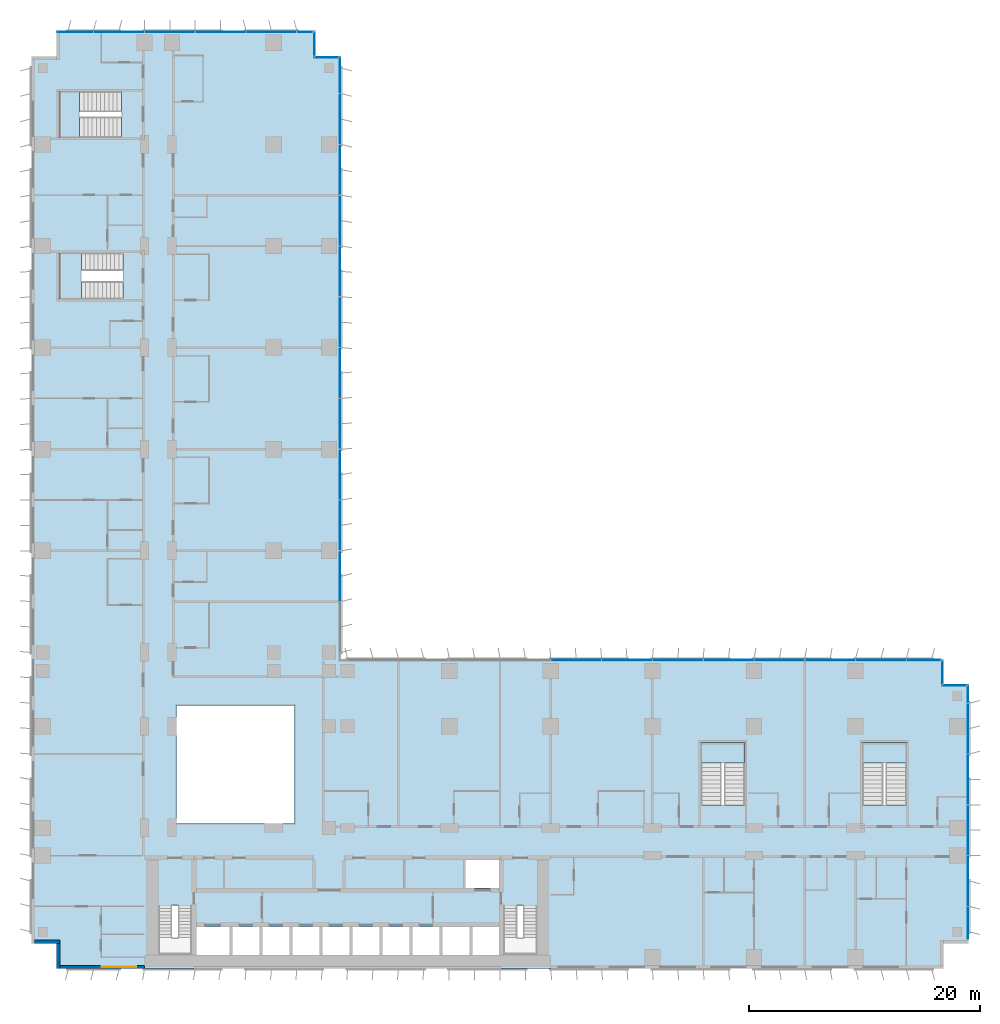
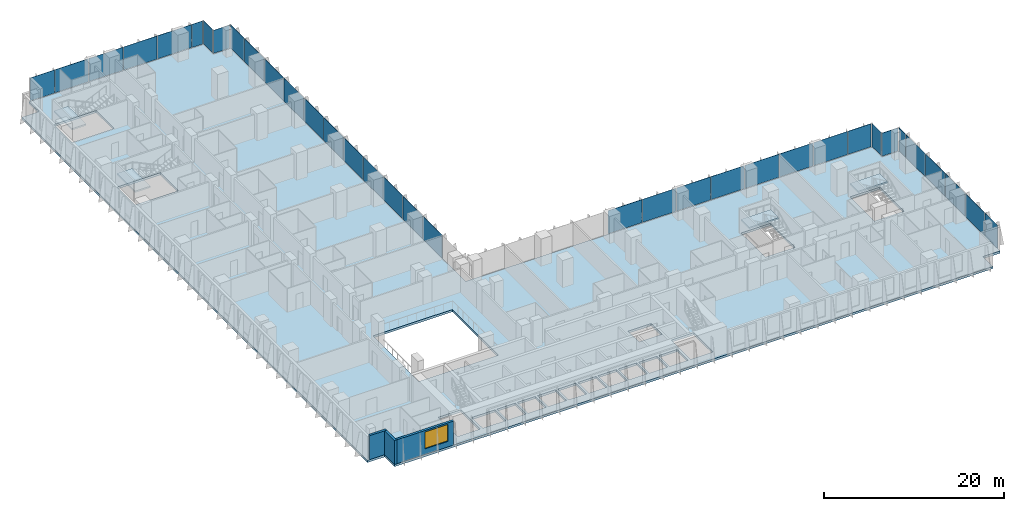
# One storey, part 11 of 24: 35 plates, 5 slabs, 3 walls, 1 window, 1 opening, 12 elements without a shape of their own.
"""IFC4 building model written with IfcOpenShell, lengths in metres."""

from ifc_helpers import new_model, si_unit, direction, frame, frame_2d, origin, origin_2d, place, context, subcontext, project, spatial, polyline, rectangle, outline, extrude, source, transform, mapped, material, layer, layer_set, type_object, element, fill, aggregate, save


model = new_model("IFC4")

# Units and contexts
model_context = context("Model", 3, precision=1e-05, world=origin(), true_north=direction((0.0, 1.0)))
body_context = subcontext(model_context, "Body", "Model", "MODEL_VIEW")
ifc_project = project(units=[si_unit("LENGTHUNIT", "METRE"), si_unit("AREAUNIT", "SQUARE_METRE"), si_unit("VOLUMEUNIT", "CUBIC_METRE"), si_unit("PLANEANGLEUNIT", "RADIAN"), si_unit("MASSUNIT", "GRAM", prefix="KILO")], contexts=[model_context])

# Site, building, storey
site_placement = place(None, origin())
site = spatial("IfcSite", under=ifc_project, at=site_placement, CompositionType="ELEMENT")
building_placement = place(site_placement, origin())
building = spatial("IfcBuilding", under=site, at=building_placement, Name="Kemantara Hotel Tower", CompositionType="ELEMENT")
storey_placement = place(building_placement, frame((0.0, 0.0, 79.699951171875)))
storey = spatial("IfcBuildingStorey", under=building, at=storey_placement, Name="L18", CompositionType="ELEMENT", Elevation=79.699951171875)

# Slab
ifc_material_1 = material(Name="Concrete fc 40 MPa", Category="concrete")
ifc_layer_1 = layer(ifc_material_1, 0.300048828125)
ifc_layer_set_1 = layer_set([ifc_layer_1], Name="Concrete fc 40 MPa")
slab_type_1 = type_object("IfcSlabType", Name="POST-TENSIONED FLAT PLATE 300", PredefinedType="FLOOR", material=ifc_layer_set_1)
slab_1_placement = place(storey_placement, frame((0.0, 0.0, -0.300048828125)))
element("IfcSlab", 1, at=slab_1_placement, inside=storey, type_object=slab_type_1, Name="FLOOR SLAB L18", PredefinedType="FLOOR", context=body_context, shape_type="SweptSolid", body=[
    extrude(outline(polyline([(0.0, 2.199951171875), (2.199951171875, 2.199951171875), (2.199951171875, 0.0), (79.0, 0.0), (79.0, 2.199951171875), (81.199951171875, 2.199951171875), (81.199951171875, 24.60009765625), (79.0, 24.60009765625), (79.0, 26.800048828125), (26.800048828125, 26.800048828125), (26.800048828125, 79.0), (24.60009765625, 79.0), (24.60009765625, 81.199951171875), (2.199951171875, 81.199951171875), (2.199951171875, 79.0), (0.0, 79.0), (0.0, 2.199951171875)]), holes=[polyline([(17.175048828125, 1.199951171875), (14.22509765625, 1.199951171875), (14.22509765625, 3.60009765625), (17.175048828125, 3.60009765625), (17.175048828125, 1.199951171875)]), polyline([(19.77490234375, 1.199951171875), (17.425048828125, 1.199951171875), (17.425048828125, 3.60009765625), (19.77490234375, 3.60009765625), (19.77490234375, 1.199951171875)]), polyline([(22.375, 1.199951171875), (20.02490234375, 1.199951171875), (20.02490234375, 3.60009765625), (22.375, 3.60009765625), (22.375, 1.199951171875)]), polyline([(24.97509765625, 1.199951171875), (22.625, 1.199951171875), (22.625, 3.60009765625), (24.97509765625, 3.60009765625), (24.97509765625, 1.199951171875)]), polyline([(27.574951171875, 1.199951171875), (25.22509765625, 1.199951171875), (25.22509765625, 3.60009765625), (27.574951171875, 3.60009765625), (27.574951171875, 1.199951171875)]), polyline([(11.0, 1.199951171875), (11.0, 5.49951171875), (13.89990234375, 5.49951171875), (13.89990234375, 1.199951171875), (11.0, 1.199951171875)]), polyline([(22.800048828125, 12.60009765625), (12.60009765625, 12.60009765625), (12.60009765625, 22.800048828125), (22.800048828125, 22.800048828125), (22.800048828125, 12.60009765625)]), polyline([(7.949462890625, 62.0), (7.949462890625, 58.0), (2.39990234375, 58.0), (2.39990234375, 62.0), (7.949462890625, 62.0)]), polyline([(7.79931640625, 76.0), (7.79931640625, 72.0), (2.39990234375, 72.0), (2.39990234375, 76.0), (7.79931640625, 76.0)]), polyline([(30.175048828125, 1.199951171875), (27.824951171875, 1.199951171875), (27.824951171875, 3.60009765625), (30.175048828125, 3.60009765625), (30.175048828125, 1.199951171875)]), polyline([(32.77490234375, 1.199951171875), (30.425048828125, 1.199951171875), (30.425048828125, 3.60009765625), (32.77490234375, 3.60009765625), (32.77490234375, 1.199951171875)]), polyline([(35.375, 1.199951171875), (33.02490234375, 1.199951171875), (33.02490234375, 3.60009765625), (35.375, 3.60009765625), (35.375, 1.199951171875)]), polyline([(37.97509765625, 1.199951171875), (35.625, 1.199951171875), (35.625, 3.60009765625), (37.97509765625, 3.60009765625), (37.97509765625, 1.199951171875)]), polyline([(40.574951171875, 1.199951171875), (38.22509765625, 1.199951171875), (38.22509765625, 3.60009765625), (40.574951171875, 3.60009765625), (40.574951171875, 1.199951171875)]), polyline([(40.89990234375, 1.199951171875), (40.89990234375, 5.49951171875), (43.800048828125, 5.49951171875), (43.800048828125, 1.199951171875), (40.89990234375, 1.199951171875)]), polyline([(40.574951171875, 7.0), (37.625, 7.0), (37.625, 9.39990234375), (40.574951171875, 9.39990234375), (40.574951171875, 7.0)]), polyline([(61.800048828125, 14.20068359375), (58.0, 14.20068359375), (58.0, 19.60009765625), (61.800048828125, 19.60009765625), (61.800048828125, 14.20068359375)]), polyline([(75.800048828125, 14.20068359375), (72.0, 14.20068359375), (72.0, 19.60009765625), (75.800048828125, 19.60009765625), (75.800048828125, 14.20068359375)])]), origin(), (0.0, 0.0, 1.0), 0.300048828125),
])

# Stair, slab
stair_type_1 = type_object("IfcStairType", Name="Stair 1800 wide 22 risers of 168 x 360 mm", PredefinedType="HALF_TURN_STAIR", material=ifc_material_1)
stair_1_placement = place(storey_placement, origin())
stair_1 = element("IfcStair", 2, at=stair_1_placement, inside=storey, type_object=stair_type_1, Name="L18 Exit stair ST3", PredefinedType="HALF_TURN_STAIR")
ifc_layer_2 = layer(ifc_material_1, 0.199951171875)
ifc_layer_set_2 = layer_set([ifc_layer_2], Name="Concrete fc 40 MPa")
slab_type_2 = type_object("IfcSlabType", Name="Stair landing 200 mm", PredefinedType="LANDING", material=ifc_layer_set_2)
slab_2_placement = place(storey_placement, frame((0.0, 0.0, 1.650146484375)))
slab_2 = element("IfcSlab", 3, at=slab_2_placement, type_object=slab_type_2, Name="ST3 landing 1", PredefinedType="LANDING", context=body_context, shape_type="SweptSolid", body=[
    extrude(outline(polyline([(61.800048828125, 17.800048828125), (61.800048828125, 19.60009765625), (58.0, 19.60009765625), (58.0, 17.800048828125), (61.800048828125, 17.800048828125)])), origin(), (0.0, 0.0, 1.0), 0.199951171875),
])
aggregate(stair_1, [slab_2])

stair_type_2 = type_object("IfcStairType", Name="Stair 1550 wide 22 risers of 168 x 360 mm", PredefinedType="HALF_TURN_STAIR", material=ifc_material_1)
stair_2_placement = place(storey_placement, origin())
stair_2 = element("IfcStair", 4, at=stair_2_placement, inside=storey, type_object=stair_type_2, Name="L18 Exit stair ST4", PredefinedType="HALF_TURN_STAIR")
slab_3_placement = place(storey_placement, frame((0.0, 0.0, 1.650146484375)))
slab_3 = element("IfcSlab", 5, at=slab_3_placement, type_object=slab_type_2, Name="ST4 landing 1", PredefinedType="LANDING", context=body_context, shape_type="SweptSolid", body=[
    extrude(outline(polyline([(4.35009765625, 62.0), (2.39990234375, 62.0), (2.39990234375, 58.0), (4.35009765625, 58.0), (4.35009765625, 62.0)])), origin(), (0.0, 0.0, 1.0), 0.199951171875),
])
aggregate(stair_2, [slab_3])

stair_3_placement = place(storey_placement, origin())
stair_3 = element("IfcStair", 6, at=stair_3_placement, inside=storey, type_object=stair_type_1, Name="L18 Exit stair ST5", PredefinedType="HALF_TURN_STAIR")
slab_4_placement = place(storey_placement, frame((0.0, 0.0, 1.650146484375)))
slab_4 = element("IfcSlab", 7, at=slab_4_placement, type_object=slab_type_2, Name="ST5 landing 1", PredefinedType="LANDING", context=body_context, shape_type="SweptSolid", body=[
    extrude(outline(polyline([(75.800048828125, 17.800048828125), (75.800048828125, 19.60009765625), (72.0, 19.60009765625), (72.0, 17.800048828125), (75.800048828125, 17.800048828125)])), origin(), (0.0, 0.0, 1.0), 0.199951171875),
])
aggregate(stair_3, [slab_4])

stair_4_placement = place(storey_placement, origin())
stair_4 = element("IfcStair", 8, at=stair_4_placement, inside=storey, type_object=stair_type_1, Name="L18 Exit stair ST6", PredefinedType="HALF_TURN_STAIR")
slab_5_placement = place(storey_placement, frame((0.0, 0.0, 1.650146484375)))
slab_5 = element("IfcSlab", 9, at=slab_5_placement, type_object=slab_type_2, Name="ST6 landing 1", PredefinedType="LANDING", context=body_context, shape_type="SweptSolid", body=[
    extrude(outline(polyline([(4.199951171875, 76.0), (2.39990234375, 76.0), (2.39990234375, 72.0), (4.199951171875, 72.0), (4.199951171875, 76.0)])), origin(), (0.0, 0.0, 1.0), 0.199951171875),
])
aggregate(stair_4, [slab_5])

# Curtain wall, plates
ifc_material_2 = material(Name="Low-E tinted double insulated glass 36 mm", Category="glass")
curtain_wall_type = type_object("IfcCurtainWallType", Name="TOWER CURTAIN WALL, FRONT FACES", PredefinedType="USERDEFINED", material=ifc_material_2)
curtain_wall_1_placement = place(storey_placement, origin())
curtain_wall_1 = element("IfcCurtainWall", 10, at=curtain_wall_1_placement, inside=storey, type_object=curtain_wall_type, Name="CW4 L18 T1-R04-1", ObjectType="TOWER CURTAIN WALL, FRONT FACES", PredefinedType="USERDEFINED")
ifc_layer_3 = layer(ifc_material_2, 0.035888671875)
ifc_layer_set_3 = layer_set([ifc_layer_3], Name="Low-E tinted double insulated glass 36 mm")
plate_type = type_object("IfcPlateType", Name="TOWER CURTAIN WALL, FRONT FACES PANEL", PredefinedType="CURTAIN_PANEL", material=ifc_layer_set_3)
shared_shape_1 = source(origin(), body_context, "Body", "SweptSolid", [
    extrude(rectangle(XDim=2.81005859375, YDim=0.035888671875, at=origin_2d()), origin(), (0.0, 0.0, 1.0), 3.1298828125),
])
plate_1_placement = place(storey_placement, frame((81.125, 3.965087890625, 0.1201171875), z_axis=(0.0, 0.0, 1.0), x_axis=(0.0, 1.0, 0.0)))
plate_1 = element("IfcPlate", 11, at=plate_1_placement, type_object=plate_type, Name="CW4 glass panel T1-R04-1.1", PredefinedType="CURTAIN_PANEL", context=body_context, shape_type="MappedRepresentation", body=[
    mapped(shared_shape_1, transform((0.0, 0.0, 0.0))),
])
shared_shape_2 = source(origin(), body_context, "Body", "SweptSolid", [
    extrude(rectangle(XDim=4.340087890625, YDim=0.035888671875, at=origin_2d()), origin(), (0.0, 0.0, 1.0), 3.1298828125),
])
plate_2_placement = place(storey_placement, frame((81.125, 7.60009765625, 0.1201171875), z_axis=(0.0, 0.0, 1.0), x_axis=(0.0, 1.0, 0.0)))
plate_2 = element("IfcPlate", 12, at=plate_2_placement, type_object=plate_type, Name="CW4 glass panel T1-R04-1.2", PredefinedType="CURTAIN_PANEL", context=body_context, shape_type="MappedRepresentation", body=[
    mapped(shared_shape_2, transform((0.0, 0.0, 0.0))),
])
plate_3_placement = place(storey_placement, frame((81.125, 12.0, 0.1201171875), z_axis=(0.0, 0.0, 1.0), x_axis=(0.0, 1.0, 0.0)))
plate_3 = element("IfcPlate", 13, at=plate_3_placement, type_object=plate_type, Name="CW4 glass panel T1-R04-1.3", PredefinedType="CURTAIN_PANEL", context=body_context, shape_type="MappedRepresentation", body=[
    mapped(shared_shape_2, transform((0.0, 0.0, 0.0))),
])
plate_4_placement = place(storey_placement, frame((81.125, 16.39990234375, 0.1201171875), z_axis=(0.0, 0.0, 1.0), x_axis=(0.0, 1.0, 0.0)))
plate_4 = element("IfcPlate", 14, at=plate_4_placement, type_object=plate_type, Name="CW4 glass panel T1-R04-1.4", PredefinedType="CURTAIN_PANEL", context=body_context, shape_type="MappedRepresentation", body=[
    mapped(shared_shape_2, transform((0.0, 0.0, 0.0))),
])
plate_5_placement = place(storey_placement, frame((81.125, 20.800048828125, 0.1201171875), z_axis=(0.0, 0.0, 1.0), x_axis=(0.0, 1.0, 0.0)))
plate_5 = element("IfcPlate", 15, at=plate_5_placement, type_object=plate_type, Name="CW4 glass panel T1-R04-1.5", PredefinedType="CURTAIN_PANEL", context=body_context, shape_type="MappedRepresentation", body=[
    mapped(shared_shape_2, transform((0.0, 0.0, 0.0))),
])

curtain_wall_2_placement = place(storey_placement, origin())
curtain_wall_2 = element("IfcCurtainWall", 16, at=curtain_wall_2_placement, inside=storey, type_object=curtain_wall_type, Name="CW4 L18 T1-R07-1", ObjectType="TOWER CURTAIN WALL, FRONT FACES", PredefinedType="USERDEFINED")
plate_6_placement = place(storey_placement, frame((73.60009765625, 26.72509765625, 0.1201171875), z_axis=(0.0, 0.0, 1.0), x_axis=(-1.0, 0.0, 0.0)))
plate_6 = element("IfcPlate", 17, at=plate_6_placement, type_object=plate_type, Name="CW4 glass panel T1-R07-1.2", PredefinedType="CURTAIN_PANEL", context=body_context, shape_type="MappedRepresentation", body=[
    mapped(shared_shape_2, transform((0.0, 0.0, 0.0))),
])
plate_7_placement = place(storey_placement, frame((69.199951171875, 26.72509765625, 0.1201171875), z_axis=(0.0, 0.0, 1.0), x_axis=(-1.0, 0.0, 0.0)))
plate_7 = element("IfcPlate", 18, at=plate_7_placement, type_object=plate_type, Name="CW4 glass panel T1-R07-1.3", PredefinedType="CURTAIN_PANEL", context=body_context, shape_type="MappedRepresentation", body=[
    mapped(shared_shape_2, transform((0.0, 0.0, 0.0))),
])
plate_8_placement = place(storey_placement, frame((64.800048828125, 26.72509765625, 0.1201171875), z_axis=(0.0, 0.0, 1.0), x_axis=(-1.0, 0.0, 0.0)))
plate_8 = element("IfcPlate", 19, at=plate_8_placement, type_object=plate_type, Name="CW4 glass panel T1-R07-1.4", PredefinedType="CURTAIN_PANEL", context=body_context, shape_type="MappedRepresentation", body=[
    mapped(shared_shape_2, transform((0.0, 0.0, 0.0))),
])
plate_9_placement = place(storey_placement, frame((60.39990234375, 26.72509765625, 0.1201171875), z_axis=(0.0, 0.0, 1.0), x_axis=(-1.0, 0.0, 0.0)))
plate_9 = element("IfcPlate", 20, at=plate_9_placement, type_object=plate_type, Name="CW4 glass panel T1-R07-1.5", PredefinedType="CURTAIN_PANEL", context=body_context, shape_type="MappedRepresentation", body=[
    mapped(shared_shape_2, transform((0.0, 0.0, 0.0))),
])
plate_10_placement = place(storey_placement, frame((56.0, 26.72509765625, 0.1201171875), z_axis=(0.0, 0.0, 1.0), x_axis=(-1.0, 0.0, 0.0)))
plate_10 = element("IfcPlate", 21, at=plate_10_placement, type_object=plate_type, Name="CW4 glass panel T1-R07-1.6", PredefinedType="CURTAIN_PANEL", context=body_context, shape_type="MappedRepresentation", body=[
    mapped(shared_shape_2, transform((0.0, 0.0, 0.0))),
])
plate_11_placement = place(storey_placement, frame((51.60009765625, 26.72509765625, 0.1201171875), z_axis=(0.0, 0.0, 1.0), x_axis=(-1.0, 0.0, 0.0)))
plate_11 = element("IfcPlate", 22, at=plate_11_placement, type_object=plate_type, Name="CW4 glass panel T1-R07-1.7", PredefinedType="CURTAIN_PANEL", context=body_context, shape_type="MappedRepresentation", body=[
    mapped(shared_shape_2, transform((0.0, 0.0, 0.0))),
])
plate_12_placement = place(storey_placement, frame((47.199951171875, 26.72509765625, 0.1201171875), z_axis=(0.0, 0.0, 1.0), x_axis=(-1.0, 0.0, 0.0)))
plate_12 = element("IfcPlate", 23, at=plate_12_placement, type_object=plate_type, Name="CW4 glass panel T1-R07-1.8", PredefinedType="CURTAIN_PANEL", context=body_context, shape_type="MappedRepresentation", body=[
    mapped(shared_shape_2, transform((0.0, 0.0, 0.0))),
])

curtain_wall_3_placement = place(storey_placement, origin())
curtain_wall_3 = element("IfcCurtainWall", 24, at=curtain_wall_3_placement, inside=storey, type_object=curtain_wall_type, Name="CW4 L18 T1-R08-1", ObjectType="TOWER CURTAIN WALL, FRONT FACES", PredefinedType="USERDEFINED")
plate_13_placement = place(storey_placement, frame((26.72509765625, 34.0, 0.1201171875), z_axis=(0.0, 0.0, 1.0), x_axis=(0.0, 1.0, 0.0)))
plate_13 = element("IfcPlate", 25, at=plate_13_placement, type_object=plate_type, Name="CW4 glass panel T1-R08-1.3", PredefinedType="CURTAIN_PANEL", context=body_context, shape_type="MappedRepresentation", body=[
    mapped(shared_shape_2, transform((0.0, 0.0, 0.0))),
])
plate_14_placement = place(storey_placement, frame((26.72509765625, 38.39990234375, 0.1201171875), z_axis=(0.0, 0.0, 1.0), x_axis=(0.0, 1.0, 0.0)))
plate_14 = element("IfcPlate", 26, at=plate_14_placement, type_object=plate_type, Name="CW4 glass panel T1-R08-1.4", PredefinedType="CURTAIN_PANEL", context=body_context, shape_type="MappedRepresentation", body=[
    mapped(shared_shape_2, transform((0.0, 0.0, 0.0))),
])
plate_15_placement = place(storey_placement, frame((26.72509765625, 42.800048828125, 0.1201171875), z_axis=(0.0, 0.0, 1.0), x_axis=(0.0, 1.0, 0.0)))
plate_15 = element("IfcPlate", 27, at=plate_15_placement, type_object=plate_type, Name="CW4 glass panel T1-R08-1.5", PredefinedType="CURTAIN_PANEL", context=body_context, shape_type="MappedRepresentation", body=[
    mapped(shared_shape_2, transform((0.0, 0.0, 0.0))),
])
plate_16_placement = place(storey_placement, frame((26.72509765625, 47.199951171875, 0.1201171875), z_axis=(0.0, 0.0, 1.0), x_axis=(0.0, 1.0, 0.0)))
plate_16 = element("IfcPlate", 28, at=plate_16_placement, type_object=plate_type, Name="CW4 glass panel T1-R08-1.6", PredefinedType="CURTAIN_PANEL", context=body_context, shape_type="MappedRepresentation", body=[
    mapped(shared_shape_2, transform((0.0, 0.0, 0.0))),
])
plate_17_placement = place(storey_placement, frame((26.72509765625, 51.60009765625, 0.1201171875), z_axis=(0.0, 0.0, 1.0), x_axis=(0.0, 1.0, 0.0)))
plate_17 = element("IfcPlate", 29, at=plate_17_placement, type_object=plate_type, Name="CW4 glass panel T1-R08-1.7", PredefinedType="CURTAIN_PANEL", context=body_context, shape_type="MappedRepresentation", body=[
    mapped(shared_shape_2, transform((0.0, 0.0, 0.0))),
])
plate_18_placement = place(storey_placement, frame((26.72509765625, 56.0, 0.1201171875), z_axis=(0.0, 0.0, 1.0), x_axis=(0.0, 1.0, 0.0)))
plate_18 = element("IfcPlate", 30, at=plate_18_placement, type_object=plate_type, Name="CW4 glass panel T1-R08-1.8", PredefinedType="CURTAIN_PANEL", context=body_context, shape_type="MappedRepresentation", body=[
    mapped(shared_shape_2, transform((0.0, 0.0, 0.0))),
])
plate_19_placement = place(storey_placement, frame((26.72509765625, 60.39990234375, 0.1201171875), z_axis=(0.0, 0.0, 1.0), x_axis=(0.0, 1.0, 0.0)))
plate_19 = element("IfcPlate", 31, at=plate_19_placement, type_object=plate_type, Name="CW4 glass panel T1-R08-1.9", PredefinedType="CURTAIN_PANEL", context=body_context, shape_type="MappedRepresentation", body=[
    mapped(shared_shape_2, transform((0.0, 0.0, 0.0))),
])
plate_20_placement = place(storey_placement, frame((26.72509765625, 64.800048828125, 0.1201171875), z_axis=(0.0, 0.0, 1.0), x_axis=(0.0, 1.0, 0.0)))
plate_20 = element("IfcPlate", 32, at=plate_20_placement, type_object=plate_type, Name="CW4 glass panel T1-R08-1.10", PredefinedType="CURTAIN_PANEL", context=body_context, shape_type="MappedRepresentation", body=[
    mapped(shared_shape_2, transform((0.0, 0.0, 0.0))),
])
plate_21_placement = place(storey_placement, frame((26.72509765625, 69.199951171875, 0.1201171875), z_axis=(0.0, 0.0, 1.0), x_axis=(0.0, 1.0, 0.0)))
plate_21 = element("IfcPlate", 33, at=plate_21_placement, type_object=plate_type, Name="CW4 glass panel T1-R08-1.11", PredefinedType="CURTAIN_PANEL", context=body_context, shape_type="MappedRepresentation", body=[
    mapped(shared_shape_2, transform((0.0, 0.0, 0.0))),
])
plate_22_placement = place(storey_placement, frame((26.72509765625, 73.60009765625, 0.1201171875), z_axis=(0.0, 0.0, 1.0), x_axis=(0.0, 1.0, 0.0)))
plate_22 = element("IfcPlate", 34, at=plate_22_placement, type_object=plate_type, Name="CW4 glass panel T1-R08-1.12", PredefinedType="CURTAIN_PANEL", context=body_context, shape_type="MappedRepresentation", body=[
    mapped(shared_shape_2, transform((0.0, 0.0, 0.0))),
])

curtain_wall_4_placement = place(storey_placement, origin())
curtain_wall_4 = element("IfcCurtainWall", 35, at=curtain_wall_4_placement, inside=storey, type_object=curtain_wall_type, Name="CW4 L18 T1-R11-1", ObjectType="TOWER CURTAIN WALL, FRONT FACES", PredefinedType="USERDEFINED")
plate_23_placement = place(storey_placement, frame((20.800048828125, 81.125, 0.1201171875), z_axis=(0.0, 0.0, 1.0), x_axis=(-1.0, 0.0, 0.0)))
plate_23 = element("IfcPlate", 36, at=plate_23_placement, type_object=plate_type, Name="CW4 glass panel T1-R11-1.2", PredefinedType="CURTAIN_PANEL", context=body_context, shape_type="MappedRepresentation", body=[
    mapped(shared_shape_2, transform((0.0, 0.0, 0.0))),
])
plate_24_placement = place(storey_placement, frame((16.39990234375, 81.125, 0.1201171875), z_axis=(0.0, 0.0, 1.0), x_axis=(-1.0, 0.0, 0.0)))
plate_24 = element("IfcPlate", 37, at=plate_24_placement, type_object=plate_type, Name="CW4 glass panel T1-R11-1.3", PredefinedType="CURTAIN_PANEL", context=body_context, shape_type="MappedRepresentation", body=[
    mapped(shared_shape_2, transform((0.0, 0.0, 0.0))),
])
plate_25_placement = place(storey_placement, frame((12.0, 81.125, 0.1201171875), z_axis=(0.0, 0.0, 1.0), x_axis=(-1.0, 0.0, 0.0)))
plate_25 = element("IfcPlate", 38, at=plate_25_placement, type_object=plate_type, Name="CW4 glass panel T1-R11-1.4", PredefinedType="CURTAIN_PANEL", context=body_context, shape_type="MappedRepresentation", body=[
    mapped(shared_shape_2, transform((0.0, 0.0, 0.0))),
])
plate_26_placement = place(storey_placement, frame((7.60009765625, 81.125, 0.1201171875), z_axis=(0.0, 0.0, 1.0), x_axis=(-1.0, 0.0, 0.0)))
plate_26 = element("IfcPlate", 39, at=plate_26_placement, type_object=plate_type, Name="CW4 glass panel T1-R11-1.5", PredefinedType="CURTAIN_PANEL", context=body_context, shape_type="MappedRepresentation", body=[
    mapped(shared_shape_2, transform((0.0, 0.0, 0.0))),
])

# Plate
shared_shape_3 = source(origin(), body_context, "Body", "SweptSolid", [
    extrude(rectangle(XDim=1.510009765625, YDim=0.035888671875, at=origin_2d()), origin(), (0.0, 0.0, 1.0), 3.1298828125),
])
plate_27_placement = place(storey_placement, frame((81.125, 23.784912109375, 0.1201171875), z_axis=(0.0, 0.0, 1.0), x_axis=(0.0, 1.0, 0.0)))
plate_27 = element("IfcPlate", 40, at=plate_27_placement, type_object=plate_type, Name="CW4 glass panel T1-R04-1.6", PredefinedType="CURTAIN_PANEL", context=body_context, shape_type="MappedRepresentation", body=[
    mapped(shared_shape_3, transform((0.0, 0.0, 0.0))),
])

aggregate(curtain_wall_1, [plate_1, plate_2, plate_3, plate_4, plate_5, plate_27])

shared_shape_4 = source(origin(), body_context, "Body", "SweptSolid", [
    extrude(rectangle(XDim=2.9599609375, YDim=0.035888671875, at=origin_2d()), origin(), (0.0, 0.0, 1.0), 3.1298828125),
])
plate_28_placement = place(storey_placement, frame((77.31005859375, 26.72509765625, 0.1201171875), z_axis=(0.0, 0.0, 1.0), x_axis=(-1.0, 0.0, 0.0)))
plate_28 = element("IfcPlate", 41, at=plate_28_placement, type_object=plate_type, Name="CW4 glass panel T1-R07-1.1", PredefinedType="CURTAIN_PANEL", context=body_context, shape_type="MappedRepresentation", body=[
    mapped(shared_shape_4, transform((0.0, 0.0, 0.0))),
])

aggregate(curtain_wall_2, [plate_28, plate_6, plate_7, plate_8, plate_9, plate_10, plate_11, plate_12])

shared_shape_5 = source(origin(), body_context, "Body", "SweptSolid", [
    extrude(rectangle(XDim=3.110107421875, YDim=0.035888671875, at=origin_2d()), origin(), (0.0, 0.0, 1.0), 3.1298828125),
])
plate_29_placement = place(storey_placement, frame((26.72509765625, 77.385009765625, 0.1201171875), z_axis=(0.0, 0.0, 1.0), x_axis=(0.0, 1.0, 0.0)))
plate_29 = element("IfcPlate", 42, at=plate_29_placement, type_object=plate_type, Name="CW4 glass panel T1-R08-1.13", PredefinedType="CURTAIN_PANEL", context=body_context, shape_type="MappedRepresentation", body=[
    mapped(shared_shape_5, transform((0.0, 0.0, 0.0))),
])

aggregate(curtain_wall_3, [plate_13, plate_14, plate_15, plate_16, plate_17, plate_18, plate_19, plate_20, plate_21, plate_22, plate_29])

plate_30_placement = place(storey_placement, frame((3.81494140625, 81.125, 0.1201171875), z_axis=(0.0, 0.0, 1.0), x_axis=(-1.0, 0.0, 0.0)))
plate_30 = element("IfcPlate", 43, at=plate_30_placement, type_object=plate_type, Name="CW4 glass panel T1-R11-1.6", PredefinedType="CURTAIN_PANEL", context=body_context, shape_type="MappedRepresentation", body=[
    mapped(shared_shape_5, transform((0.0, 0.0, 0.0))),
])

shared_shape_6 = source(origin(), body_context, "Body", "SweptSolid", [
    extrude(rectangle(XDim=1.360107421875, YDim=0.035888671875, at=origin_2d()), origin(), (0.0, 0.0, 1.0), 3.1298828125),
])
plate_31_placement = place(storey_placement, frame((23.7099609375, 81.125, 0.1201171875), z_axis=(0.0, 0.0, 1.0), x_axis=(-1.0, 0.0, 0.0)))
plate_31 = element("IfcPlate", 44, at=plate_31_placement, type_object=plate_type, Name="CW4 glass panel T1-R11-1.1", PredefinedType="CURTAIN_PANEL", context=body_context, shape_type="MappedRepresentation", body=[
    mapped(shared_shape_6, transform((0.0, 0.0, 0.0))),
])

aggregate(curtain_wall_4, [plate_31, plate_23, plate_24, plate_25, plate_26, plate_30])

# Curtain wall, plate
curtain_wall_5_placement = place(storey_placement, origin())
curtain_wall_5 = element("IfcCurtainWall", 45, at=curtain_wall_5_placement, inside=storey, type_object=curtain_wall_type, Name="CW4 L18 T1-R05-1", ObjectType="TOWER CURTAIN WALL, FRONT FACES", PredefinedType="USERDEFINED")
shared_shape_7 = source(origin(), body_context, "Body", "SweptSolid", [
    extrude(rectangle(XDim=2.080078125, YDim=0.035888671875, at=origin_2d()), origin(), (0.0, 0.0, 1.0), 3.1298828125),
])
plate_32_placement = place(storey_placement, frame((79.949951171875, 24.52490234375, 0.1201171875), z_axis=(0.0, 0.0, 1.0), x_axis=(-1.0, 0.0, 0.0)))
plate_32 = element("IfcPlate", 46, at=plate_32_placement, type_object=plate_type, Name="CW4 glass panel T1-R05-1.1", PredefinedType="CURTAIN_PANEL", context=body_context, shape_type="MappedRepresentation", body=[
    mapped(shared_shape_7, transform((0.0, 0.0, 0.0))),
])
aggregate(curtain_wall_5, [plate_32])

curtain_wall_6_placement = place(storey_placement, origin())
curtain_wall_6 = element("IfcCurtainWall", 47, at=curtain_wall_6_placement, inside=storey, type_object=curtain_wall_type, Name="CW4 L18 T1-R06-1", ObjectType="TOWER CURTAIN WALL, FRONT FACES", PredefinedType="USERDEFINED")
plate_33_placement = place(storey_placement, frame((78.925048828125, 25.699951171875, 0.1201171875), z_axis=(0.0, 0.0, 1.0), x_axis=(0.0, 1.0, 0.0)))
plate_33 = element("IfcPlate", 48, at=plate_33_placement, type_object=plate_type, Name="CW4 glass panel T1-R06-1.1", PredefinedType="CURTAIN_PANEL", context=body_context, shape_type="MappedRepresentation", body=[
    mapped(shared_shape_7, transform((0.0, 0.0, 0.0))),
])
aggregate(curtain_wall_6, [plate_33])

curtain_wall_7_placement = place(storey_placement, origin())
curtain_wall_7 = element("IfcCurtainWall", 49, at=curtain_wall_7_placement, inside=storey, type_object=curtain_wall_type, Name="CW4 L18 T1-R09-1", ObjectType="TOWER CURTAIN WALL, FRONT FACES", PredefinedType="USERDEFINED")
plate_34_placement = place(storey_placement, frame((25.550048828125, 78.925048828125, 0.1201171875), z_axis=(0.0, 0.0, 1.0), x_axis=(-1.0, 0.0, 0.0)))
plate_34 = element("IfcPlate", 50, at=plate_34_placement, type_object=plate_type, Name="CW4 glass panel T1-R09-1.1", PredefinedType="CURTAIN_PANEL", context=body_context, shape_type="MappedRepresentation", body=[
    mapped(shared_shape_7, transform((0.0, 0.0, 0.0))),
])
aggregate(curtain_wall_7, [plate_34])

curtain_wall_8_placement = place(storey_placement, origin())
curtain_wall_8 = element("IfcCurtainWall", 51, at=curtain_wall_8_placement, inside=storey, type_object=curtain_wall_type, Name="CW4 L18 T1-R10-1", ObjectType="TOWER CURTAIN WALL, FRONT FACES", PredefinedType="USERDEFINED")
plate_35_placement = place(storey_placement, frame((24.52490234375, 80.10009765625, 0.1201171875), z_axis=(0.0, 0.0, 1.0), x_axis=(0.0, 1.0, 0.0)))
plate_35 = element("IfcPlate", 52, at=plate_35_placement, type_object=plate_type, Name="CW4 glass panel T1-R10-1.1", PredefinedType="CURTAIN_PANEL", context=body_context, shape_type="MappedRepresentation", body=[
    mapped(shared_shape_7, transform((0.0, 0.0, 0.0))),
])
aggregate(curtain_wall_8, [plate_35])

# Wall
ifc_material_3 = material(Name="Bronze anodised aluminium cladding on insulated steel stud wall", Category="steel")
ifc_layer_4 = layer(ifc_material_3, 0.300048828125)
ifc_layer_set_4 = layer_set([ifc_layer_4], Name="Bronze anodised aluminium cladding on insulated steel stud wall")
wall_type = type_object("IfcWallType", Name="BRONZE METAL-CLAD EXTERNAL WALL 300", PredefinedType="STANDARD", material=ifc_layer_set_4)
wall_1_placement = place(storey_placement, frame((2.35009765625, 2.199951171875, 0.0), z_axis=(0.0, 0.0, 1.0), x_axis=(0.0, -1.0, 0.0)))
element("IfcWall", 53, at=wall_1_placement, inside=storey, type_object=wall_type, Name="EXTERNAL WALL L18 T1-R00", PredefinedType="STANDARD", context=body_context, shape_type="SweptSolid", body=[
    extrude(rectangle(XDim=2.199951171875, YDim=0.300048828125, at=frame_2d((1.10009765625, 0.0))), origin(), (0.0, 0.0, 1.0), 3.25),
])

# Wall, opening, window
wall_2_placement = place(storey_placement, frame((2.5, 0.14990234375, 0.0), z_axis=(0.0, 0.0, 1.0), x_axis=(1.0, 0.0, 0.0)))
wall_2 = element("IfcWall", 54, at=wall_2_placement, inside=storey, type_object=wall_type, Name="EXTERNAL WALL L18 T1-R01", PredefinedType="STANDARD", context=body_context, shape_type="SweptSolid", body=[
    extrude(rectangle(XDim=7.300048828125, YDim=0.300048828125, at=frame_2d((3.64990234375, 0.0))), origin(), (0.0, 0.0, 1.0), 3.25),
])
opening_placement = place(wall_2_placement, frame((3.60009765625, 0.0, 0.75)))
opening = element("IfcOpeningElement", 55, at=opening_placement, cuts=wall_2, Name="Opening W1", PredefinedType="OPENING", context=body_context, shape_type="SweptSolid", body=[
    extrude(rectangle(XDim=3.0, YDim=2.300048828125, at=frame_2d((1.5, 1.14990234375))), frame((0.0, 0.159912109375, 0.0), z_axis=(0.0, -1.0, 0.0), x_axis=(1.0, 0.0, 0.0)), (0.0, 0.0, 1.0), 0.320068359375),
])
ifc_material_4 = material(Name="Low-E tinted double insulated glass in bronze anodised aluminium frame", Category="aluminium")
window_type = type_object("IfcWindowType", Name="CHICAGO WINDOW, TRIPLE PANEL 3000x2300", PartitioningType="TRIPLE_PANEL_VERTICAL", PredefinedType="WINDOW", material=ifc_material_4)
window_placement = place(opening_placement, origin())
window = element("IfcWindow", 56, at=window_placement, inside=storey, type_object=window_type, Name="CHICAGO WINDOW L18 T1-R01-54", OverallHeight=2.300048828125, OverallWidth=3.0, PartitioningType="SINGLE_PANEL", PredefinedType="WINDOW", context=body_context, shape_type="SweptSolid", body=[
    extrude(rectangle(XDim=3.0, YDim=2.300048828125, at=frame_2d((1.5, 1.14990234375))), frame((0.0, 0.030029296875, 0.0), z_axis=(0.0, -1.0, 0.0), x_axis=(1.0, 0.0, 0.0)), (0.0, 0.0, 1.0), 0.06005859375),
])
fill(opening, window)

# Wall
wall_3_placement = place(storey_placement, frame((0.300048828125, 2.35009765625, 0.0), z_axis=(0.0, 0.0, 1.0), x_axis=(1.0, 0.0, 0.0)))
element("IfcWall", 57, at=wall_3_placement, inside=storey, type_object=wall_type, Name="EXTERNAL WALL L18 T1-R15", PredefinedType="STANDARD", context=body_context, shape_type="SweptSolid", body=[
    extrude(rectangle(XDim=2.199951171875, YDim=0.300048828125, at=frame_2d((1.10009765625, 0.0))), origin(), (0.0, 0.0, 1.0), 3.25),
])

save(model, "model.ifc")
